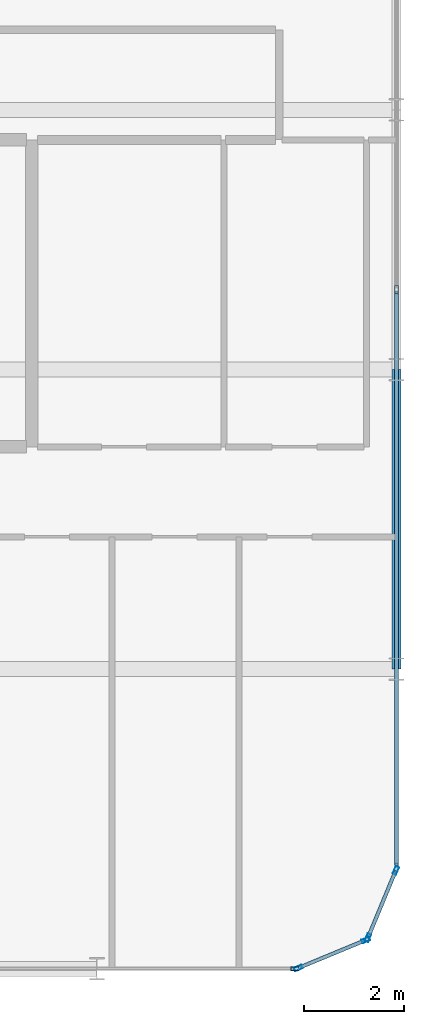
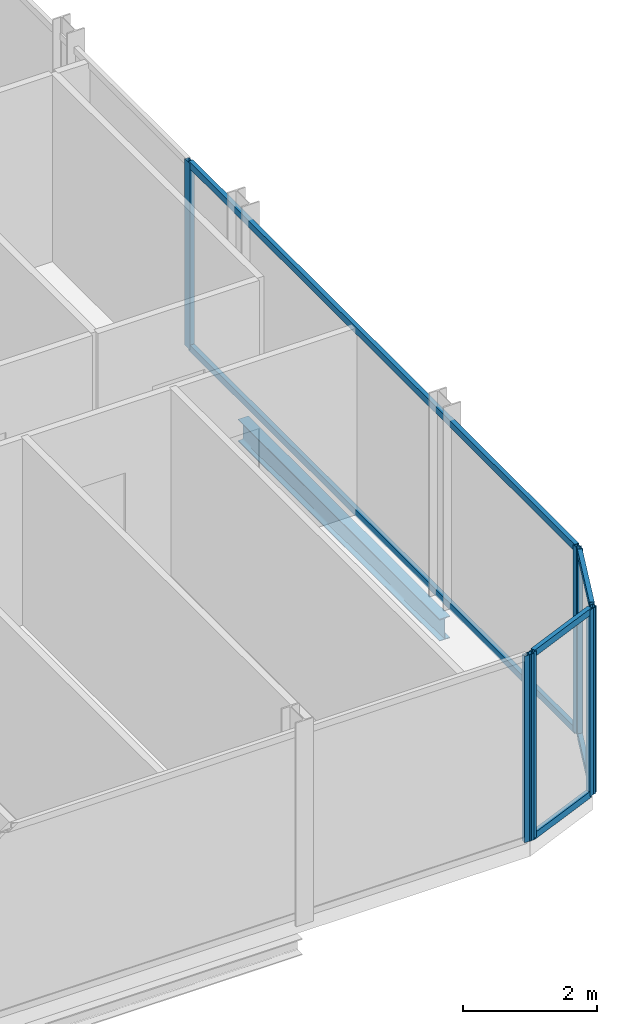
# One storey, part 12 of 29: 13 members, 1 beam, 4 elements without a shape of their own.
"""IFC4 building model written with IfcOpenShell, lengths in metres."""

import ifcopenshell
import ifcopenshell.guid

model = None  # the IFC model being written
_history = None  # IfcOwnerHistory: only IFC2X3 demands one
_inside = {}  # id of a spatial element -> (the spatial element, [elements in it])
_under = {}  # id of a project, library or spatial element -> (it, [spatial elements below it])
_declared = {}  # id of a project -> (the project, [libraries it declares])
_typed = {}  # id of a type object -> (the type object, [elements of that type])
_made_of = {}  # id of a material, layer set ... -> (it, [elements and type objects made of it])


def new_model(schema):
    """Start an empty IFC model of exactly this schema.

    Asked for "IFC4X3", IfcOpenShell would pick the latest addendum, in which some entities
    have other attributes; the version numbers below select the first issue.
    IFC2X3 requires an IfcOwnerHistory on every rooted entity: one is made here for all.
    """
    global model, _history
    if schema == "IFC4X3":
        model = ifcopenshell.file(schema_version=(4, 3, 0, 0))
    else:
        model = ifcopenshell.file(schema=schema)
    _inside.clear()
    _under.clear()
    _declared.clear()
    _typed.clear()
    _made_of.clear()
    _history = None
    if model.schema == "IFC2X3":
        org = make("IfcOrganization", Name="unknown")
        user = make(
            "IfcPersonAndOrganization",
            ThePerson=make("IfcPerson", FamilyName="unknown"),
            TheOrganization=org,
        )
        app = make(
            "IfcApplication",
            ApplicationDeveloper=org,
            Version="unknown",
            ApplicationFullName="unknown",
            ApplicationIdentifier="unknown",
        )
        _history = make(
            "IfcOwnerHistory",
            OwningUser=user,
            OwningApplication=app,
            ChangeAction="ADDED",
            CreationDate=0,
        )
    return model


def make(cls, **values):
    """One entity of the class cls with the attributes given. An attribute that is None is left unset."""
    return model.create_entity(
        cls, **{name: value for name, value in values.items() if value is not None}
    )


def rooted(cls, **values):
    """An entity with a GlobalId (a new one), such as an element, a storey or a relation."""
    return make(cls, GlobalId=ifcopenshell.guid.new(), OwnerHistory=_history, **values)


def si_unit(unit_type, name, prefix=None):
    """IfcSIUnit, for example si_unit("LENGTHUNIT", "METRE", prefix="MILLI")."""
    return make("IfcSIUnit", UnitType=unit_type, Prefix=prefix, Name=name)


def assignment(units):
    """IfcUnitAssignment: the units of a project."""
    return None if units is None else make("IfcUnitAssignment", Units=units)


def point(xyz):
    """IfcCartesianPoint."""
    return None if xyz is None else make("IfcCartesianPoint", Coordinates=xyz)


def direction(xyz):
    """IfcDirection."""
    return None if xyz is None else make("IfcDirection", DirectionRatios=xyz)


def frame(location, z_axis=None, x_axis=None):
    """IfcAxis2Placement3D, a coordinate frame: its origin and axes. An axis left out is left unset."""
    return make(
        "IfcAxis2Placement3D",
        Location=point(location),
        Axis=direction(z_axis),
        RefDirection=direction(x_axis),
    )


def frame_2d(location, x_axis=None):
    """IfcAxis2Placement2D, a coordinate frame in the plane: its origin and x axis."""
    return make(
        "IfcAxis2Placement2D", Location=point(location), RefDirection=direction(x_axis)
    )


def origin():
    """The frame at (0, 0, 0) with its axes left unset."""
    return frame((0.0, 0.0, 0.0))


def origin_2d():
    """The frame at (0, 0) in the plane with its x axis left unset."""
    return frame_2d((0.0, 0.0))


def place(relative_to, where):
    """IfcLocalPlacement: puts the frame where relative to a parent placement (None: the world)."""
    return make(
        "IfcLocalPlacement", PlacementRelTo=relative_to, RelativePlacement=where
    )


def context(
    kind, dimensions, precision=None, world=None, true_north=None, identifier=None
):
    """IfcGeometricRepresentationContext, for example the 3D "Model" context."""
    return make(
        "IfcGeometricRepresentationContext",
        ContextIdentifier=identifier,
        ContextType=kind,
        CoordinateSpaceDimension=dimensions,
        Precision=precision,
        WorldCoordinateSystem=world,
        TrueNorth=true_north,
    )


def subcontext(parent, identifier, kind, view, scale=None):
    """IfcGeometricRepresentationSubContext, for example "Body" below "Model"."""
    return make(
        "IfcGeometricRepresentationSubContext",
        ContextIdentifier=identifier,
        ContextType=kind,
        ParentContext=parent,
        TargetScale=scale,
        TargetView=view,
    )


def project(units=None, contexts=None):
    """IfcProject with its units and contexts."""
    return rooted(
        "IfcProject",
        Name="project",
        RepresentationContexts=contexts,
        UnitsInContext=assignment(units),
    )


def spatial(cls, under=None, at=None, **own):
    """A site, building, storey or space (cls), placed at a placement, below another one or the project."""
    s = rooted(cls, ObjectPlacement=at, **own)
    if under is not None:
        _under.setdefault(under.id(), (under, []))[1].append(s)
    return s


def profile(cls, at=None, kind="AREA", **sizes):
    """A parametric profile (cls). Its sizes go by their IFC names, for example OverallWidth=200.0."""
    return make(cls, ProfileType=kind, Position=at, **sizes)


def hollow_rectangle(**sizes):
    """IfcRectangleHollowProfileDef."""
    return profile("IfcRectangleHollowProfileDef", **sizes)


def i_section(**sizes):
    """IfcIShapeProfileDef."""
    return profile("IfcIShapeProfileDef", **sizes)


def extrude(swept, where, along, depth):
    """IfcExtrudedAreaSolid: the profile swept, set in the frame where, extruded along a direction by depth."""
    return make(
        "IfcExtrudedAreaSolid",
        SweptArea=swept,
        Position=where,
        ExtrudedDirection=direction(along),
        Depth=depth,
    )


def shape(context_of_items, identifier, shape_type, items):
    """IfcShapeRepresentation: the items that make up one representation, for example the "Body"."""
    return make(
        "IfcShapeRepresentation",
        ContextOfItems=context_of_items,
        RepresentationIdentifier=identifier,
        RepresentationType=shape_type,
        Items=items,
    )


def material(Name=None, Category=None):
    """IfcMaterial."""
    return make("IfcMaterial", Name=Name, Category=Category)


def layer(
    of_material, thickness, ventilated=None, Name=None, Category=None, Priority=None
):
    """IfcMaterialLayer: one layer of a wall or slab, of a material (None: an air gap)."""
    return make(
        "IfcMaterialLayer",
        Material=of_material,
        LayerThickness=thickness,
        IsVentilated=ventilated,
        Name=Name,
        Category=Category,
        Priority=Priority,
    )


def layer_set(layers, Name=None):
    """IfcMaterialLayerSet."""
    return make("IfcMaterialLayerSet", MaterialLayers=layers, LayerSetName=Name)


def material_profile(
    of_material, cross_section, Name=None, Category=None, Priority=None
):
    """IfcMaterialProfile: a cross section and its material."""
    return make(
        "IfcMaterialProfile",
        Name=Name,
        Material=of_material,
        Profile=cross_section,
        Priority=Priority,
        Category=Category,
    )


def profile_set(profiles, Name=None, composite=None):
    """IfcMaterialProfileSet."""
    return make(
        "IfcMaterialProfileSet",
        Name=Name,
        MaterialProfiles=profiles,
        CompositeProfile=composite,
    )


def made_of(thing, what):
    """Note that an element or type object is made of a material, layer set ...; save() writes the relation."""
    if what is not None:
        _made_of.setdefault(what.id(), (what, []))[1].append(thing)
    return thing


def type_object(cls, material=None, **own):
    """A type object (cls), such as IfcWallType, which elements share."""
    return made_of(rooted(cls, **own), material)


def element(
    cls,
    number,
    at=None,
    inside=None,
    cuts=None,
    type_object=None,
    material=None,
    context=None,
    identifier="Body",
    shape_type=None,
    held_by="IfcProductDefinitionShape",
    body=None,
    shapes=None,
    **own,
):
    """One element of the class cls, such as IfcWall. Its Tag is "e" and its number.

    at: its placement. inside: the storey or other place that contains it. cuts: it is an
    opening in that element (IfcRelVoidsElement). A single representation is given by context,
    identifier, shape_type and body (its items); several are given by shapes. held_by: the class
    of the entity that holds the representations. save() writes the other relations.
    """
    e = rooted(cls, Tag="e%d" % number, ObjectPlacement=at, **own)
    if body is not None:
        shapes = [shape(context, identifier, shape_type, body)]
    if shapes is not None:
        e.Representation = make(held_by, Representations=shapes)
    if inside is not None:
        _inside.setdefault(inside.id(), (inside, []))[1].append(e)
    if cuts is not None:
        rooted(
            "IfcRelVoidsElement", RelatingBuildingElement=cuts, RelatedOpeningElement=e
        )
    if type_object is not None:
        _typed.setdefault(type_object.id(), (type_object, []))[1].append(e)
    return made_of(e, material)


def aggregate(whole, parts):
    """IfcRelAggregates: a whole, such as a stair, and the parts it consists of."""
    return rooted("IfcRelAggregates", RelatingObject=whole, RelatedObjects=parts)


def save(model, path):
    """Write the relations noted so far, then the file.

    IfcRelAggregates (storeys below a building ...), IfcRelContainedInSpatialStructure (elements
    in a storey), IfcRelDefinesByType, IfcRelAssociatesMaterial and IfcRelDeclares: one each for
    every whole, place, type object, material and project.
    """
    for whole, parts in _under.values():
        aggregate(whole, parts)
    for where, things in _inside.values():
        rooted(
            "IfcRelContainedInSpatialStructure",
            RelatedElements=things,
            RelatingStructure=where,
        )
    for kind, things in _typed.values():
        rooted("IfcRelDefinesByType", RelatedObjects=things, RelatingType=kind)
    for what, things in _made_of.values():
        rooted("IfcRelAssociatesMaterial", RelatedObjects=things, RelatingMaterial=what)
    for by, libraries in _declared.values():
        rooted("IfcRelDeclares", RelatingContext=by, RelatedDefinitions=libraries)
    model.write(path)


model = new_model("IFC4")

# Units and contexts
model_context = context("Model", 3, precision=1e-05, world=origin(), true_north=direction((0.0, 1.0)))
body_context = subcontext(model_context, "Body", "Model", "MODEL_VIEW")
ifc_project = project(units=[si_unit("LENGTHUNIT", "METRE"), si_unit("AREAUNIT", "SQUARE_METRE"), si_unit("VOLUMEUNIT", "CUBIC_METRE"), si_unit("PLANEANGLEUNIT", "RADIAN"), si_unit("MASSUNIT", "GRAM", prefix="KILO")], contexts=[model_context])

# Site, building, storey
site_placement = place(None, origin())
site = spatial("IfcSite", under=ifc_project, at=site_placement, CompositionType="ELEMENT")
building_placement = place(site_placement, origin())
building = spatial("IfcBuilding", under=site, at=building_placement, Name="Keshet Zoharim Tower", CompositionType="ELEMENT")
storey_placement = place(building_placement, frame((0.0, 0.0, 192.10009765625)))
storey = spatial("IfcBuildingStorey", under=building, at=storey_placement, Name="L47", CompositionType="ELEMENT", Elevation=192.10009765625)

# Beam
ifc_material_1 = material(Name="Steel S355", Category="steel")
ifc_material_profile_1 = material_profile(ifc_material_1, i_section(OverallWidth=0.179931640625, OverallDepth=0.39990234375, WebThickness=0.008544921875, FlangeThickness=0.013427734375, FilletRadius=0.02099609375, at=origin_2d()), Name="IPE400")
ifc_profile_set_1 = profile_set([ifc_material_profile_1], Name="Steel S355")
beam_type = type_object("IfcBeamType", Name="BM-PRI-IP400", PredefinedType="BEAM", material=ifc_profile_set_1)
beam_placement = place(storey_placement, frame((57.0, 6.699951171875, -0.510009765625), z_axis=(0.0, 1.0, 0.0), x_axis=(-1.0, 0.0, 0.0)))
element("IfcBeam", 1, at=beam_placement, inside=storey, type_object=beam_type, Name="L47 Primary Girder Y-013", PredefinedType="BEAM", context=body_context, shape_type="SweptSolid", body=[
    extrude(i_section(OverallWidth=0.179931640625, OverallDepth=0.39990234375, WebThickness=0.008544921875, FlangeThickness=0.013427734375, FilletRadius=0.02099609375, at=origin_2d()), origin(), (0.0, 0.0, 1.0), 6.0),
])

# Curtain wall, members
ifc_material_2 = material(Name="Aluminium 6063-T6", Category="aluminium")
ifc_layer = layer(ifc_material_2, 0.139892578125)
ifc_layer_set = layer_set([ifc_layer], Name="Aluminium 6063-T6")
curtain_wall_type = type_object("IfcCurtainWallType", Name="CW-SYS-05", PredefinedType="NOTDEFINED", material=ifc_layer_set)
curtain_wall_1_placement = place(storey_placement, origin())
curtain_wall_1 = element("IfcCurtainWall", 2, at=curtain_wall_1_placement, inside=storey, type_object=curtain_wall_type, Name="L47 Unitised Curtain Wall 03", PredefinedType="NOTDEFINED")
ifc_material_profile_2 = material_profile(ifc_material_2, hollow_rectangle(XDim=0.074951171875, YDim=0.159912109375, WallThickness=0.00390625, at=origin_2d()), Name="MUL-75x160")
ifc_profile_set_2 = profile_set([ifc_material_profile_2], Name="Aluminium 6063-T6")
member_type_1 = type_object("IfcMemberType", Name="CWM-M15", PredefinedType="MULLION", material=ifc_profile_set_2)
member_1_placement = place(storey_placement, frame((57.0, 14.300048828125, 0.0), z_axis=(0.0, 0.0, 1.0), x_axis=(1.0, 0.0, 0.0)))
member_1 = element("IfcMember", 3, at=member_1_placement, type_object=member_type_1, Name="CW-05 mullion 2", PredefinedType="MULLION", context=body_context, shape_type="SweptSolid", body=[
    extrude(hollow_rectangle(XDim=0.074951171875, YDim=0.159912109375, WallThickness=0.00390625, at=origin_2d()), origin(), (0.0, 0.0, 1.0), 3.389892578125),
])
member_2_placement = place(storey_placement, frame((57.0, 2.735107421875, 0.0), z_axis=(0.0, 0.0, 1.0), x_axis=(1.0, 0.0, 0.0)))
member_2 = element("IfcMember", 4, at=member_2_placement, type_object=member_type_1, Name="CW-05 mullion 3", PredefinedType="MULLION", context=body_context, shape_type="SweptSolid", body=[
    extrude(hollow_rectangle(XDim=0.074951171875, YDim=0.159912109375, WallThickness=0.00390625, at=origin_2d()), origin(), (0.0, 0.0, 1.0), 3.389892578125),
])

curtain_wall_2_placement = place(storey_placement, origin())
curtain_wall_2 = element("IfcCurtainWall", 5, at=curtain_wall_2_placement, inside=storey, type_object=curtain_wall_type, Name="L47 Unitised Curtain Wall 04", PredefinedType="NOTDEFINED")
member_3_placement = place(storey_placement, frame((56.986572265625, 2.667724609375, 0.0), z_axis=(0.0, 0.0, 1.0), x_axis=(0.92380975372, -0.382851849847, 0.0)))
member_3 = element("IfcMember", 6, at=member_3_placement, type_object=member_type_1, Name="CW-05 mullion 1", PredefinedType="MULLION", context=body_context, shape_type="SweptSolid", body=[
    extrude(hollow_rectangle(XDim=0.074951171875, YDim=0.159912109375, WallThickness=0.00390625, at=origin_2d()), origin(), (0.0, 0.0, 1.0), 3.389892578125),
])
member_4_placement = place(storey_placement, frame((56.427490234375, 1.318359375, 0.0), z_axis=(0.0, 0.0, 1.0), x_axis=(0.92380975372, -0.382851849847, 0.0)))
member_4 = element("IfcMember", 7, at=member_4_placement, type_object=member_type_1, Name="CW-05 mullion 2", PredefinedType="MULLION", context=body_context, shape_type="SweptSolid", body=[
    extrude(hollow_rectangle(XDim=0.074951171875, YDim=0.159912109375, WallThickness=0.00390625, at=origin_2d()), origin(), (0.0, 0.0, 1.0), 3.389892578125),
])

curtain_wall_3_placement = place(storey_placement, origin())
curtain_wall_3 = element("IfcCurtainWall", 8, at=curtain_wall_3_placement, inside=storey, type_object=curtain_wall_type, Name="L47 Unitised Curtain Wall 05", PredefinedType="NOTDEFINED")
member_5_placement = place(storey_placement, frame((56.381591796875, 1.272705078125, 0.0), z_axis=(0.0, 0.0, 1.0), x_axis=(0.382851849847, -0.92380975372, 0.0)))
member_5 = element("IfcMember", 9, at=member_5_placement, type_object=member_type_1, Name="CW-05 mullion 1", PredefinedType="MULLION", context=body_context, shape_type="SweptSolid", body=[
    extrude(hollow_rectangle(XDim=0.074951171875, YDim=0.159912109375, WallThickness=0.00390625, at=origin_2d()), origin(), (0.0, 0.0, 1.0), 3.389892578125),
])
member_6_placement = place(storey_placement, frame((55.0322265625, 0.71337890625, 0.0), z_axis=(0.0, 0.0, 1.0), x_axis=(0.382851849847, -0.92380975372, 0.0)))
member_6 = element("IfcMember", 10, at=member_6_placement, type_object=member_type_1, Name="CW-05 mullion 2", PredefinedType="MULLION", context=body_context, shape_type="SweptSolid", body=[
    extrude(hollow_rectangle(XDim=0.074951171875, YDim=0.159912109375, WallThickness=0.00390625, at=origin_2d()), origin(), (0.0, 0.0, 1.0), 3.389892578125),
])

# Curtain wall, member
curtain_wall_4_placement = place(storey_placement, origin())
curtain_wall_4 = element("IfcCurtainWall", 11, at=curtain_wall_4_placement, inside=storey, type_object=curtain_wall_type, Name="L47 Unitised Curtain Wall 06", PredefinedType="NOTDEFINED")
member_7_placement = place(storey_placement, frame((54.965087890625, 0.699951171875, 0.0), z_axis=(0.0, 0.0, 1.0), x_axis=(0.0, -1.0, 0.0)))
member_7 = element("IfcMember", 12, at=member_7_placement, type_object=member_type_1, Name="CW-05 mullion 1", PredefinedType="MULLION", context=body_context, shape_type="SweptSolid", body=[
    extrude(hollow_rectangle(XDim=0.074951171875, YDim=0.159912109375, WallThickness=0.00390625, at=origin_2d()), origin(), (0.0, 0.0, 1.0), 3.389892578125),
])
aggregate(curtain_wall_4, [member_7])

# Member
ifc_material_profile_3 = material_profile(ifc_material_2, hollow_rectangle(XDim=0.074951171875, YDim=0.1201171875, WallThickness=0.00390625, at=origin_2d()), Name="TRN-75x120")
ifc_profile_set_3 = profile_set([ifc_material_profile_3], Name="Aluminium 6063-T6")
member_type_2 = type_object("IfcMemberType", Name="CWT-T12", PredefinedType="USERDEFINED", material=ifc_profile_set_3)
member_8_placement = place(storey_placement, frame((57.0, 14.264892578125, 0.034912109375), z_axis=(0.0, -1.0, 0.0), x_axis=(1.0, 0.0, 0.0)))
member_8 = element("IfcMember", 13, at=member_8_placement, type_object=member_type_2, Name="CW-05 transom 2.1", ObjectType="TRANSOM", PredefinedType="USERDEFINED", context=body_context, shape_type="SweptSolid", body=[
    extrude(hollow_rectangle(XDim=0.074951171875, YDim=0.1201171875, WallThickness=0.00390625, at=origin_2d()), origin(), (0.0, 0.0, 1.0), 11.494873046875),
])

member_9_placement = place(storey_placement, frame((57.0, 14.264892578125, 3.35498046875), z_axis=(0.0, -1.0, 0.0), x_axis=(1.0, 0.0, 0.0)))
member_9 = element("IfcMember", 14, at=member_9_placement, type_object=member_type_2, Name="CW-05 transom 2.2", ObjectType="TRANSOM", PredefinedType="USERDEFINED", context=body_context, shape_type="SweptSolid", body=[
    extrude(hollow_rectangle(XDim=0.074951171875, YDim=0.1201171875, WallThickness=0.00390625, at=origin_2d()), origin(), (0.0, 0.0, 1.0), 11.494873046875),
])

aggregate(curtain_wall_1, [member_1, member_2, member_8, member_9])

member_10_placement = place(storey_placement, frame((56.97314453125, 2.63525390625, 0.034912109375), z_axis=(-0.382744609247, -0.923854189844, 0.0), x_axis=(0.923854189844, -0.382744609247, 0.0)))
member_10 = element("IfcMember", 15, at=member_10_placement, type_object=member_type_2, Name="CW-05 transom 1.1", ObjectType="TRANSOM", PredefinedType="USERDEFINED", context=body_context, shape_type="SweptSolid", body=[
    extrude(hollow_rectangle(XDim=0.074951171875, YDim=0.1201171875, WallThickness=0.00390625, at=origin_2d()), origin(), (0.0, 0.0, 1.0), 1.390625),
])

member_11_placement = place(storey_placement, frame((56.97314453125, 2.63525390625, 3.35498046875), z_axis=(-0.382744609247, -0.923854189844, 0.0), x_axis=(0.923854189844, -0.382744609247, 0.0)))
member_11 = element("IfcMember", 16, at=member_11_placement, type_object=member_type_2, Name="CW-05 transom 1.2", ObjectType="TRANSOM", PredefinedType="USERDEFINED", context=body_context, shape_type="SweptSolid", body=[
    extrude(hollow_rectangle(XDim=0.074951171875, YDim=0.1201171875, WallThickness=0.00390625, at=origin_2d()), origin(), (0.0, 0.0, 1.0), 1.390625),
])

aggregate(curtain_wall_2, [member_3, member_4, member_10, member_11])

member_12_placement = place(storey_placement, frame((56.349365234375, 1.25927734375, 0.034912109375), z_axis=(-0.92379209995, -0.382894445076, 0.0), x_axis=(0.382894445076, -0.92379209995, 0.0)))
member_12 = element("IfcMember", 17, at=member_12_placement, type_object=member_type_2, Name="CW-05 transom 1.1", ObjectType="TRANSOM", PredefinedType="USERDEFINED", context=body_context, shape_type="SweptSolid", body=[
    extrude(hollow_rectangle(XDim=0.074951171875, YDim=0.1201171875, WallThickness=0.00390625, at=origin_2d()), origin(), (0.0, 0.0, 1.0), 1.390625),
])

member_13_placement = place(storey_placement, frame((56.349365234375, 1.25927734375, 3.35498046875), z_axis=(-0.92379209995, -0.382894445076, 0.0), x_axis=(0.382894445076, -0.92379209995, 0.0)))
member_13 = element("IfcMember", 18, at=member_13_placement, type_object=member_type_2, Name="CW-05 transom 1.2", ObjectType="TRANSOM", PredefinedType="USERDEFINED", context=body_context, shape_type="SweptSolid", body=[
    extrude(hollow_rectangle(XDim=0.074951171875, YDim=0.1201171875, WallThickness=0.00390625, at=origin_2d()), origin(), (0.0, 0.0, 1.0), 1.390625),
])

aggregate(curtain_wall_3, [member_5, member_6, member_12, member_13])

save(model, "model.ifc")
